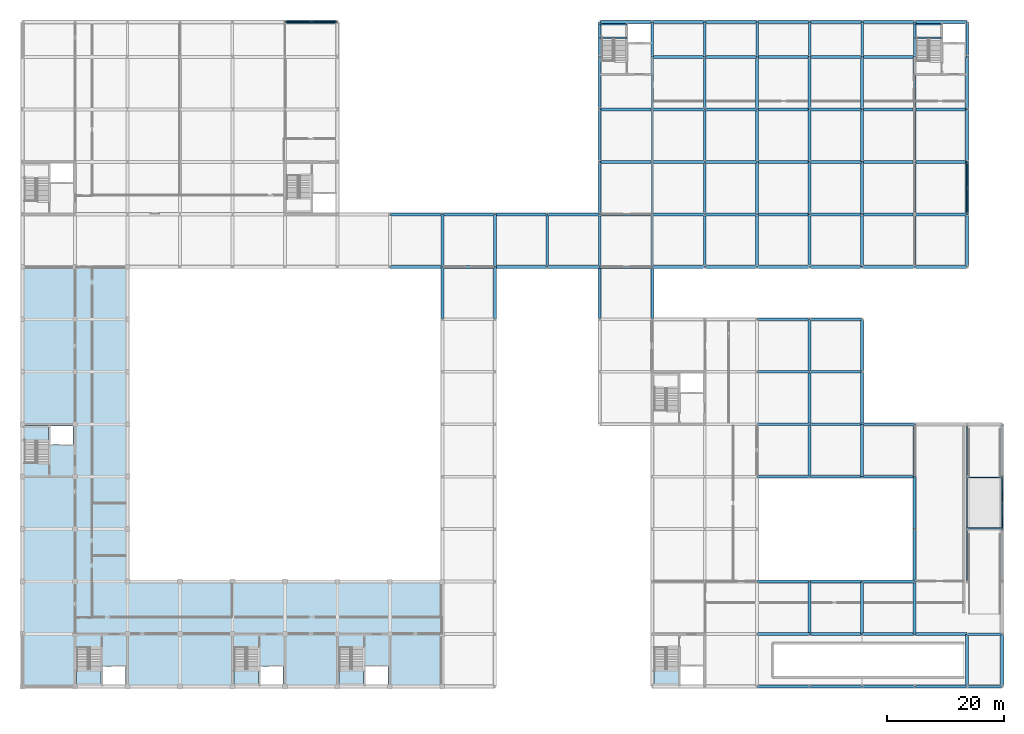
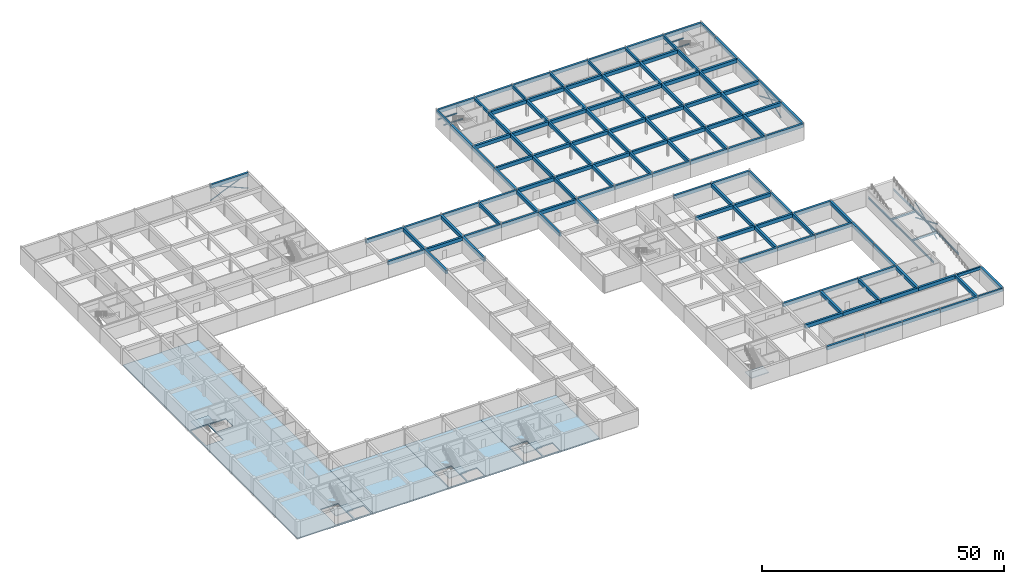
# One storey, part 16 of 35: 141 beams, 12 members, 9 slabs.
"""IFC4 building model written with IfcOpenShell, lengths in metres."""

import ifcopenshell
import ifcopenshell.guid

model = None  # the IFC model being written
_history = None  # IfcOwnerHistory: only IFC2X3 demands one
_inside = {}  # id of a spatial element -> (the spatial element, [elements in it])
_under = {}  # id of a project, library or spatial element -> (it, [spatial elements below it])
_declared = {}  # id of a project -> (the project, [libraries it declares])
_typed = {}  # id of a type object -> (the type object, [elements of that type])
_made_of = {}  # id of a material, layer set ... -> (it, [elements and type objects made of it])


def new_model(schema):
    """Start an empty IFC model of exactly this schema.

    Asked for "IFC4X3", IfcOpenShell would pick the latest addendum, in which some entities
    have other attributes; the version numbers below select the first issue.
    IFC2X3 requires an IfcOwnerHistory on every rooted entity: one is made here for all.
    """
    global model, _history
    if schema == "IFC4X3":
        model = ifcopenshell.file(schema_version=(4, 3, 0, 0))
    else:
        model = ifcopenshell.file(schema=schema)
    _inside.clear()
    _under.clear()
    _declared.clear()
    _typed.clear()
    _made_of.clear()
    _history = None
    if model.schema == "IFC2X3":
        org = make("IfcOrganization", Name="unknown")
        user = make(
            "IfcPersonAndOrganization",
            ThePerson=make("IfcPerson", FamilyName="unknown"),
            TheOrganization=org,
        )
        app = make(
            "IfcApplication",
            ApplicationDeveloper=org,
            Version="unknown",
            ApplicationFullName="unknown",
            ApplicationIdentifier="unknown",
        )
        _history = make(
            "IfcOwnerHistory",
            OwningUser=user,
            OwningApplication=app,
            ChangeAction="ADDED",
            CreationDate=0,
        )
    return model


def make(cls, **values):
    """One entity of the class cls with the attributes given. An attribute that is None is left unset."""
    return model.create_entity(
        cls, **{name: value for name, value in values.items() if value is not None}
    )


def rooted(cls, **values):
    """An entity with a GlobalId (a new one), such as an element, a storey or a relation."""
    return make(cls, GlobalId=ifcopenshell.guid.new(), OwnerHistory=_history, **values)


def si_unit(unit_type, name, prefix=None):
    """IfcSIUnit, for example si_unit("LENGTHUNIT", "METRE", prefix="MILLI")."""
    return make("IfcSIUnit", UnitType=unit_type, Prefix=prefix, Name=name)


def assignment(units):
    """IfcUnitAssignment: the units of a project."""
    return None if units is None else make("IfcUnitAssignment", Units=units)


def point(xyz):
    """IfcCartesianPoint."""
    return None if xyz is None else make("IfcCartesianPoint", Coordinates=xyz)


def direction(xyz):
    """IfcDirection."""
    return None if xyz is None else make("IfcDirection", DirectionRatios=xyz)


def frame(location, z_axis=None, x_axis=None):
    """IfcAxis2Placement3D, a coordinate frame: its origin and axes. An axis left out is left unset."""
    return make(
        "IfcAxis2Placement3D",
        Location=point(location),
        Axis=direction(z_axis),
        RefDirection=direction(x_axis),
    )


def frame_2d(location, x_axis=None):
    """IfcAxis2Placement2D, a coordinate frame in the plane: its origin and x axis."""
    return make(
        "IfcAxis2Placement2D", Location=point(location), RefDirection=direction(x_axis)
    )


def origin():
    """The frame at (0, 0, 0) with its axes left unset."""
    return frame((0.0, 0.0, 0.0))


def origin_2d():
    """The frame at (0, 0) in the plane with its x axis left unset."""
    return frame_2d((0.0, 0.0))


def place(relative_to, where):
    """IfcLocalPlacement: puts the frame where relative to a parent placement (None: the world)."""
    return make(
        "IfcLocalPlacement", PlacementRelTo=relative_to, RelativePlacement=where
    )


def context(
    kind, dimensions, precision=None, world=None, true_north=None, identifier=None
):
    """IfcGeometricRepresentationContext, for example the 3D "Model" context."""
    return make(
        "IfcGeometricRepresentationContext",
        ContextIdentifier=identifier,
        ContextType=kind,
        CoordinateSpaceDimension=dimensions,
        Precision=precision,
        WorldCoordinateSystem=world,
        TrueNorth=true_north,
    )


def subcontext(parent, identifier, kind, view, scale=None):
    """IfcGeometricRepresentationSubContext, for example "Body" below "Model"."""
    return make(
        "IfcGeometricRepresentationSubContext",
        ContextIdentifier=identifier,
        ContextType=kind,
        ParentContext=parent,
        TargetScale=scale,
        TargetView=view,
    )


def project(units=None, contexts=None):
    """IfcProject with its units and contexts."""
    return rooted(
        "IfcProject",
        Name="project",
        RepresentationContexts=contexts,
        UnitsInContext=assignment(units),
    )


def spatial(cls, under=None, at=None, **own):
    """A site, building, storey or space (cls), placed at a placement, below another one or the project."""
    s = rooted(cls, ObjectPlacement=at, **own)
    if under is not None:
        _under.setdefault(under.id(), (under, []))[1].append(s)
    return s


def polyline(points):
    """IfcPolyline through the points."""
    return make("IfcPolyline", Points=[point(p) for p in points])


def profile(cls, at=None, kind="AREA", **sizes):
    """A parametric profile (cls). Its sizes go by their IFC names, for example OverallWidth=200.0."""
    return make(cls, ProfileType=kind, Position=at, **sizes)


def rectangle(**sizes):
    """IfcRectangleProfileDef."""
    return profile("IfcRectangleProfileDef", **sizes)


def hollow_rectangle(**sizes):
    """IfcRectangleHollowProfileDef."""
    return profile("IfcRectangleHollowProfileDef", **sizes)


def hollow_circle(**sizes):
    """IfcCircleHollowProfileDef."""
    return profile("IfcCircleHollowProfileDef", **sizes)


def i_section(**sizes):
    """IfcIShapeProfileDef."""
    return profile("IfcIShapeProfileDef", **sizes)


def outline(outer, holes=None, kind="AREA"):
    """IfcArbitraryClosedProfileDef: a profile drawn as a closed curve; with holes, ...WithVoids."""
    if holes is None:
        return make("IfcArbitraryClosedProfileDef", ProfileType=kind, OuterCurve=outer)
    return make(
        "IfcArbitraryProfileDefWithVoids",
        ProfileType=kind,
        OuterCurve=outer,
        InnerCurves=holes,
    )


def extrude(swept, where, along, depth):
    """IfcExtrudedAreaSolid: the profile swept, set in the frame where, extruded along a direction by depth."""
    return make(
        "IfcExtrudedAreaSolid",
        SweptArea=swept,
        Position=where,
        ExtrudedDirection=direction(along),
        Depth=depth,
    )


def shape(context_of_items, identifier, shape_type, items):
    """IfcShapeRepresentation: the items that make up one representation, for example the "Body"."""
    return make(
        "IfcShapeRepresentation",
        ContextOfItems=context_of_items,
        RepresentationIdentifier=identifier,
        RepresentationType=shape_type,
        Items=items,
    )


def material(Name=None, Category=None):
    """IfcMaterial."""
    return make("IfcMaterial", Name=Name, Category=Category)


def layer(
    of_material, thickness, ventilated=None, Name=None, Category=None, Priority=None
):
    """IfcMaterialLayer: one layer of a wall or slab, of a material (None: an air gap)."""
    return make(
        "IfcMaterialLayer",
        Material=of_material,
        LayerThickness=thickness,
        IsVentilated=ventilated,
        Name=Name,
        Category=Category,
        Priority=Priority,
    )


def layer_set(layers, Name=None):
    """IfcMaterialLayerSet."""
    return make("IfcMaterialLayerSet", MaterialLayers=layers, LayerSetName=Name)


def material_profile(
    of_material, cross_section, Name=None, Category=None, Priority=None
):
    """IfcMaterialProfile: a cross section and its material."""
    return make(
        "IfcMaterialProfile",
        Name=Name,
        Material=of_material,
        Profile=cross_section,
        Priority=Priority,
        Category=Category,
    )


def profile_set(profiles, Name=None, composite=None):
    """IfcMaterialProfileSet."""
    return make(
        "IfcMaterialProfileSet",
        Name=Name,
        MaterialProfiles=profiles,
        CompositeProfile=composite,
    )


def made_of(thing, what):
    """Note that an element or type object is made of a material, layer set ...; save() writes the relation."""
    if what is not None:
        _made_of.setdefault(what.id(), (what, []))[1].append(thing)
    return thing


def type_object(cls, material=None, **own):
    """A type object (cls), such as IfcWallType, which elements share."""
    return made_of(rooted(cls, **own), material)


def element(
    cls,
    number,
    at=None,
    inside=None,
    cuts=None,
    type_object=None,
    material=None,
    context=None,
    identifier="Body",
    shape_type=None,
    held_by="IfcProductDefinitionShape",
    body=None,
    shapes=None,
    **own,
):
    """One element of the class cls, such as IfcWall. Its Tag is "e" and its number.

    at: its placement. inside: the storey or other place that contains it. cuts: it is an
    opening in that element (IfcRelVoidsElement). A single representation is given by context,
    identifier, shape_type and body (its items); several are given by shapes. held_by: the class
    of the entity that holds the representations. save() writes the other relations.
    """
    e = rooted(cls, Tag="e%d" % number, ObjectPlacement=at, **own)
    if body is not None:
        shapes = [shape(context, identifier, shape_type, body)]
    if shapes is not None:
        e.Representation = make(held_by, Representations=shapes)
    if inside is not None:
        _inside.setdefault(inside.id(), (inside, []))[1].append(e)
    if cuts is not None:
        rooted(
            "IfcRelVoidsElement", RelatingBuildingElement=cuts, RelatedOpeningElement=e
        )
    if type_object is not None:
        _typed.setdefault(type_object.id(), (type_object, []))[1].append(e)
    return made_of(e, material)


def aggregate(whole, parts):
    """IfcRelAggregates: a whole, such as a stair, and the parts it consists of."""
    return rooted("IfcRelAggregates", RelatingObject=whole, RelatedObjects=parts)


def save(model, path):
    """Write the relations noted so far, then the file.

    IfcRelAggregates (storeys below a building ...), IfcRelContainedInSpatialStructure (elements
    in a storey), IfcRelDefinesByType, IfcRelAssociatesMaterial and IfcRelDeclares: one each for
    every whole, place, type object, material and project.
    """
    for whole, parts in _under.values():
        aggregate(whole, parts)
    for where, things in _inside.values():
        rooted(
            "IfcRelContainedInSpatialStructure",
            RelatedElements=things,
            RelatingStructure=where,
        )
    for kind, things in _typed.values():
        rooted("IfcRelDefinesByType", RelatedObjects=things, RelatingType=kind)
    for what, things in _made_of.values():
        rooted("IfcRelAssociatesMaterial", RelatedObjects=things, RelatingMaterial=what)
    for by, libraries in _declared.values():
        rooted("IfcRelDeclares", RelatingContext=by, RelatedDefinitions=libraries)
    model.write(path)


model = new_model("IFC4")

# Units and contexts
model_context = context("Model", 3, precision=1e-05, world=origin(), true_north=direction((0.0, 1.0)))
body_context = subcontext(model_context, "Body", "Model", "MODEL_VIEW")
ifc_project = project(units=[si_unit("LENGTHUNIT", "METRE"), si_unit("AREAUNIT", "SQUARE_METRE"), si_unit("VOLUMEUNIT", "CUBIC_METRE"), si_unit("PLANEANGLEUNIT", "RADIAN"), si_unit("MASSUNIT", "GRAM", prefix="KILO")], contexts=[model_context])

# Site, building, storey
site_placement = place(None, origin())
site = spatial("IfcSite", under=ifc_project, at=site_placement, CompositionType="ELEMENT")
building_placement = place(site_placement, origin())
building = spatial("IfcBuilding", under=site, at=building_placement, Name="Palais des Congres Ocreval", CompositionType="ELEMENT")
storey_placement = place(building_placement, frame((0.0, 0.0, -4.47998046875)))
storey = spatial("IfcBuildingStorey", under=building, at=storey_placement, Name="B1", CompositionType="ELEMENT", Elevation=-4.47998046875)

# Beams
ifc_material_1 = material(Name="Concrete C35/45", Category="concrete")
ifc_material_profile_1 = material_profile(ifc_material_1, rectangle(XDim=0.39990234375, YDim=0.699951171875, at=origin_2d()), Name="RC 400x700")
ifc_profile_set_1 = profile_set([ifc_material_profile_1], Name="Concrete C35/45")
beam_type_1 = type_object("IfcBeamType", Name="Basement Beam RC 400x700 Concrete C35/45", PredefinedType="BEAM", material=ifc_profile_set_1)
for number, where, z_axis, x_axis, name in (
    (1, (99.0, 108.02001953125, 3.7900390625), (0.0, 1.0, 0.0), (-1.0, 0.0, 0.0), "Girder TG03 B1"),
    (2, (108.0, 108.02001953125, 3.7900390625), (0.0, 1.0, 0.0), (-1.0, 0.0, 0.0), "Girder TG03 B1"),
    (3, (117.0, 108.02001953125, 3.7900390625), (0.0, 1.0, 0.0), (-1.0, 0.0, 0.0), "Girder TG03 B1"),
    (4, (126.0, 108.02001953125, 3.7900390625), (0.0, 1.0, 0.0), (-1.0, 0.0, 0.0), "Girder TG03 B1"),
    (5, (135.0, 108.02001953125, 3.7900390625), (0.0, 1.0, 0.0), (-1.0, 0.0, 0.0), "Girder TG03 B1"),
    (6, (144.0, 108.02001953125, 3.7900390625), (0.0, 1.0, 0.0), (-1.0, 0.0, 0.0), "Girder TG03 B1"),
    (7, (153.0, 108.02001953125, 3.7900390625), (0.0, 1.0, 0.0), (-1.0, 0.0, 0.0), "Girder TG03 B1"),
    (8, (162.02001953125, 0.0, 3.869873046875), (1.0, 0.0, 0.0), (0.0, 1.0, 0.0), "Beam TG03 B1"),
    (9, (162.02001953125, 9.0, 3.869873046875), (1.0, 0.0, 0.0), (0.0, 1.0, 0.0), "Beam TG03 B1"),
    (10, (162.0, 108.02001953125, 3.7900390625), (0.0, 1.0, 0.0), (-1.0, 0.0, 0.0), "Girder TG03 B1"),
):
    element("IfcBeam", number, at=place(storey_placement, frame(where, z_axis=z_axis, x_axis=x_axis)), inside=storey, type_object=beam_type_1, Name=name, PredefinedType="BEAM", context=body_context, shape_type="SweptSolid", body=[
        extrude(rectangle(XDim=0.39990234375, YDim=0.699951171875, at=origin_2d()), origin(), (0.0, 0.0, 1.0), 5.9599609375),
    ])
ifc_material_profile_2 = material_profile(ifc_material_1, rectangle(XDim=0.5, YDim=0.89990234375, at=origin_2d()), Name="RC 500x900")
ifc_profile_set_2 = profile_set([ifc_material_profile_2], Name="Concrete C35/45")
beam_type_2 = type_object("IfcBeamType", Name="Basement Girder RC 500x900 Concrete C35/45", PredefinedType="BEAM", material=ifc_profile_set_2)
for number, where, z_axis, x_axis, name in (
    (11, (45.02001953125, 114.0, 3.72998046875), (1.0, 0.0, 0.0), (0.0, 1.0, 0.0), "Beam TG04 B1"),
    (12, (63.02001953125, 72.0, 3.580078125), (1.0, 0.0, 0.0), (0.0, 1.0, 0.0), "Beam TG04 B1"),
    (13, (63.02001953125, 81.0, 3.580078125), (1.0, 0.0, 0.0), (0.0, 1.0, 0.0), "Beam TG04 B1"),
    (14, (72.0, 63.02001953125, 3.580078125), (0.0, 1.0, 0.0), (-1.0, 0.0, 0.0), "Girder TG04 B1"),
    (15, (72.02001953125, 72.0, 3.580078125), (1.0, 0.0, 0.0), (0.0, 1.0, 0.0), "Beam TG04 B1"),
    (16, (72.0, 72.02001953125, 3.580078125), (0.0, 1.0, 0.0), (-1.0, 0.0, 0.0), "Girder TG04 B1"),
    (17, (72.02001953125, 81.0, 3.580078125), (1.0, 0.0, 0.0), (0.0, 1.0, 0.0), "Beam TG04 B1"),
    (18, (81.0, 63.02001953125, 3.580078125), (0.0, 1.0, 0.0), (-1.0, 0.0, 0.0), "Girder TG04 B1"),
    (19, (81.02001953125, 72.0, 3.580078125), (1.0, 0.0, 0.0), (0.0, 1.0, 0.0), "Beam TG04 B1"),
    (20, (81.0, 72.02001953125, 3.580078125), (0.0, 1.0, 0.0), (-1.0, 0.0, 0.0), "Girder TG04 B1"),
    (21, (81.02001953125, 81.0, 3.580078125), (1.0, 0.0, 0.0), (0.0, 1.0, 0.0), "Beam TG04 B1"),
    (22, (90.02001953125, 72.0, 3.580078125), (1.0, 0.0, 0.0), (0.0, 1.0, 0.0), "Beam TG04 B1"),
    (23, (90.0, 72.02001953125, 3.580078125), (0.0, 1.0, 0.0), (-1.0, 0.0, 0.0), "Girder TG04 B1"),
    (24, (90.02001953125, 81.0, 3.580078125), (1.0, 0.0, 0.0), (0.0, 1.0, 0.0), "Beam TG04 B1"),
    (25, (99.0, 63.02001953125, 3.580078125), (0.0, 1.0, 0.0), (-1.0, 0.0, 0.0), "Girder TG04 B1"),
    (26, (99.02001953125, 72.0, 3.580078125), (1.0, 0.0, 0.0), (0.0, 1.0, 0.0), "Beam TG04 B1"),
    (27, (99.0, 72.02001953125, 3.580078125), (0.0, 1.0, 0.0), (-1.0, 0.0, 0.0), "Girder TG04 B1"),
    (28, (99.02001953125, 81.0, 3.68994140625), (1.0, 0.0, 0.0), (0.0, 1.0, 0.0), "Beam TG04 B1"),
    (29, (99.0, 81.02001953125, 3.68994140625), (0.0, 1.0, 0.0), (-1.0, 0.0, 0.0), "Girder TG04 B1"),
    (30, (99.02001953125, 90.0, 3.68994140625), (1.0, 0.0, 0.0), (0.0, 1.0, 0.0), "Beam TG04 B1"),
    (31, (99.0, 90.02001953125, 3.68994140625), (0.0, 1.0, 0.0), (-1.0, 0.0, 0.0), "Girder TG04 B1"),
    (32, (99.02001953125, 99.0, 3.68994140625), (1.0, 0.0, 0.0), (0.0, 1.0, 0.0), "Beam TG04 B1"),
    (33, (99.0, 99.02001953125, 3.68994140625), (0.0, 1.0, 0.0), (-1.0, 0.0, 0.0), "Girder TG04 B1"),
    (34, (99.02001953125, 114.0, 3.68994140625), (1.0, 0.0, 0.0), (0.0, 1.0, 0.0), "Beam TG04 B1"),
    (35, (108.0, 63.02001953125, 3.580078125), (0.0, 1.0, 0.0), (-1.0, 0.0, 0.0), "Girder TG04 B1"),
    (36, (108.02001953125, 72.0, 3.68994140625), (1.0, 0.0, 0.0), (0.0, 1.0, 0.0), "Beam TG04 B1"),
    (37, (108.0, 72.02001953125, 3.68994140625), (0.0, 1.0, 0.0), (-1.0, 0.0, 0.0), "Girder TG04 B1"),
    (38, (108.02001953125, 81.0, 3.68994140625), (1.0, 0.0, 0.0), (0.0, 1.0, 0.0), "Beam TG04 B1"),
    (39, (108.0, 81.02001953125, 3.68994140625), (0.0, 1.0, 0.0), (-1.0, 0.0, 0.0), "Girder TG04 B1"),
    (40, (108.02001953125, 90.0, 3.68994140625), (1.0, 0.0, 0.0), (0.0, 1.0, 0.0), "Beam TG04 B1"),
    (41, (108.0, 90.02001953125, 3.68994140625), (0.0, 1.0, 0.0), (-1.0, 0.0, 0.0), "Girder TG04 B1"),
    (42, (108.02001953125, 99.0, 3.68994140625), (1.0, 0.0, 0.0), (0.0, 1.0, 0.0), "Beam TG04 B1"),
    (43, (108.0, 99.02001953125, 3.68994140625), (0.0, 1.0, 0.0), (-1.0, 0.0, 0.0), "Girder TG04 B1"),
    (44, (108.02001953125, 108.0, 3.68994140625), (1.0, 0.0, 0.0), (0.0, 1.0, 0.0), "Beam TG04 B1"),
    (45, (108.02001953125, 114.0, 3.68994140625), (1.0, 0.0, 0.0), (0.0, 1.0, 0.0), "Beam TG04 B1"),
    (46, (117.02001953125, 72.0, 3.68994140625), (1.0, 0.0, 0.0), (0.0, 1.0, 0.0), "Beam TG04 B1"),
    (47, (117.0, 72.02001953125, 3.68994140625), (0.0, 1.0, 0.0), (-1.0, 0.0, 0.0), "Girder TG04 B1"),
    (48, (117.02001953125, 81.0, 3.68994140625), (1.0, 0.0, 0.0), (0.0, 1.0, 0.0), "Beam TG04 B1"),
    (49, (117.0, 81.02001953125, 3.68994140625), (0.0, 1.0, 0.0), (-1.0, 0.0, 0.0), "Girder TG04 B1"),
    (50, (117.02001953125, 90.0, 3.68994140625), (1.0, 0.0, 0.0), (0.0, 1.0, 0.0), "Beam TG04 B1"),
    (51, (117.0, 90.02001953125, 3.68994140625), (0.0, 1.0, 0.0), (-1.0, 0.0, 0.0), "Girder TG04 B1"),
    (52, (117.02001953125, 99.0, 3.68994140625), (1.0, 0.0, 0.0), (0.0, 1.0, 0.0), "Beam TG04 B1"),
    (53, (117.0, 99.02001953125, 3.68994140625), (0.0, 1.0, 0.0), (-1.0, 0.0, 0.0), "Girder TG04 B1"),
    (54, (117.02001953125, 108.0, 3.68994140625), (1.0, 0.0, 0.0), (0.0, 1.0, 0.0), "Beam TG04 B1"),
    (55, (117.02001953125, 114.0, 3.68994140625), (1.0, 0.0, 0.0), (0.0, 1.0, 0.0), "Beam TG04 B1"),
    (56, (126.02001953125, 0.0, 3.77001953125), (1.0, 0.0, 0.0), (0.0, 1.0, 0.0), "Beam TG04 B1"),
    (57, (126.02001953125, 9.0, 3.77001953125), (1.0, 0.0, 0.0), (0.0, 1.0, 0.0), "Beam TG04 B1"),
    (58, (126.02001953125, 18.0, 3.77001953125), (1.0, 0.0, 0.0), (0.0, 1.0, 0.0), "Beam TG04 B1"),
    (59, (126.02001953125, 36.0, 3.77001953125), (1.0, 0.0, 0.0), (0.0, 1.0, 0.0), "Beam TG04 B1"),
    (60, (126.02001953125, 45.0, 3.77001953125), (1.0, 0.0, 0.0), (0.0, 1.0, 0.0), "Beam TG04 B1"),
    (61, (126.02001953125, 54.0, 3.580078125), (1.0, 0.0, 0.0), (0.0, 1.0, 0.0), "Beam TG04 B1"),
    (62, (126.02001953125, 63.0, 3.580078125), (1.0, 0.0, 0.0), (0.0, 1.0, 0.0), "Beam TG04 B1"),
    (63, (126.02001953125, 72.0, 3.68994140625), (1.0, 0.0, 0.0), (0.0, 1.0, 0.0), "Beam TG04 B1"),
    (64, (126.0, 72.02001953125, 3.68994140625), (0.0, 1.0, 0.0), (-1.0, 0.0, 0.0), "Girder TG04 B1"),
    (65, (126.02001953125, 81.0, 3.68994140625), (1.0, 0.0, 0.0), (0.0, 1.0, 0.0), "Beam TG04 B1"),
    (66, (126.0, 81.02001953125, 3.68994140625), (0.0, 1.0, 0.0), (-1.0, 0.0, 0.0), "Girder TG04 B1"),
    (67, (126.02001953125, 90.0, 3.68994140625), (1.0, 0.0, 0.0), (0.0, 1.0, 0.0), "Beam TG04 B1"),
    (68, (126.0, 90.02001953125, 3.68994140625), (0.0, 1.0, 0.0), (-1.0, 0.0, 0.0), "Girder TG04 B1"),
    (69, (126.02001953125, 99.0, 3.68994140625), (1.0, 0.0, 0.0), (0.0, 1.0, 0.0), "Beam TG04 B1"),
    (70, (126.0, 99.02001953125, 3.68994140625), (0.0, 1.0, 0.0), (-1.0, 0.0, 0.0), "Girder TG04 B1"),
    (71, (126.02001953125, 108.0, 3.68994140625), (1.0, 0.0, 0.0), (0.0, 1.0, 0.0), "Beam TG04 B1"),
    (72, (126.02001953125, 114.0, 3.68994140625), (1.0, 0.0, 0.0), (0.0, 1.0, 0.0), "Beam TG04 B1"),
    (73, (135.02001953125, 0.0, 3.77001953125), (1.0, 0.0, 0.0), (0.0, 1.0, 0.0), "Beam TG04 B1"),
    (74, (135.02001953125, 9.0, 3.77001953125), (1.0, 0.0, 0.0), (0.0, 1.0, 0.0), "Beam TG04 B1"),
    (75, (135.0, 9.02001953125, 3.77001953125), (0.0, 1.0, 0.0), (-1.0, 0.0, 0.0), "Girder TG04 B1"),
    (76, (135.02001953125, 18.0, 3.77001953125), (1.0, 0.0, 0.0), (0.0, 1.0, 0.0), "Beam TG04 B1"),
    (77, (135.02001953125, 36.0, 3.77001953125), (1.0, 0.0, 0.0), (0.0, 1.0, 0.0), "Beam TG04 B1"),
    (78, (135.0, 36.02001953125, 3.77001953125), (0.0, 1.0, 0.0), (-1.0, 0.0, 0.0), "Girder TG04 B1"),
    (79, (135.02001953125, 45.0, 3.77001953125), (1.0, 0.0, 0.0), (0.0, 1.0, 0.0), "Beam TG04 B1"),
    (80, (135.0, 45.02001953125, 3.580078125), (0.0, 1.0, 0.0), (-1.0, 0.0, 0.0), "Girder TG04 B1"),
    (81, (135.02001953125, 54.0, 3.580078125), (1.0, 0.0, 0.0), (0.0, 1.0, 0.0), "Beam TG04 B1"),
    (82, (135.0, 54.02001953125, 3.580078125), (0.0, 1.0, 0.0), (-1.0, 0.0, 0.0), "Girder TG04 B1"),
    (83, (135.02001953125, 63.0, 3.580078125), (1.0, 0.0, 0.0), (0.0, 1.0, 0.0), "Beam TG04 B1"),
    (84, (135.02001953125, 72.0, 3.68994140625), (1.0, 0.0, 0.0), (0.0, 1.0, 0.0), "Beam TG04 B1"),
    (85, (135.0, 72.02001953125, 3.68994140625), (0.0, 1.0, 0.0), (-1.0, 0.0, 0.0), "Girder TG04 B1"),
    (86, (135.02001953125, 81.0, 3.68994140625), (1.0, 0.0, 0.0), (0.0, 1.0, 0.0), "Beam TG04 B1"),
    (87, (135.0, 81.02001953125, 3.68994140625), (0.0, 1.0, 0.0), (-1.0, 0.0, 0.0), "Girder TG04 B1"),
    (88, (135.02001953125, 90.0, 3.68994140625), (1.0, 0.0, 0.0), (0.0, 1.0, 0.0), "Beam TG04 B1"),
    (89, (135.0, 90.02001953125, 3.68994140625), (0.0, 1.0, 0.0), (-1.0, 0.0, 0.0), "Girder TG04 B1"),
    (90, (135.02001953125, 99.0, 3.68994140625), (1.0, 0.0, 0.0), (0.0, 1.0, 0.0), "Beam TG04 B1"),
    (91, (135.0, 99.02001953125, 3.68994140625), (0.0, 1.0, 0.0), (-1.0, 0.0, 0.0), "Girder TG04 B1"),
    (92, (135.02001953125, 108.0, 3.68994140625), (1.0, 0.0, 0.0), (0.0, 1.0, 0.0), "Beam TG04 B1"),
    (93, (135.02001953125, 114.0, 3.68994140625), (1.0, 0.0, 0.0), (0.0, 1.0, 0.0), "Beam TG04 B1"),
    (94, (144.02001953125, 0.0, 3.77001953125), (1.0, 0.0, 0.0), (0.0, 1.0, 0.0), "Beam TG04 B1"),
    (95, (144.02001953125, 9.0, 3.77001953125), (1.0, 0.0, 0.0), (0.0, 1.0, 0.0), "Beam TG04 B1"),
    (96, (144.0, 9.02001953125, 3.77001953125), (0.0, 1.0, 0.0), (-1.0, 0.0, 0.0), "Girder TG04 B1"),
    (97, (144.02001953125, 18.0, 3.77001953125), (1.0, 0.0, 0.0), (0.0, 1.0, 0.0), "Beam TG04 B1"),
    (98, (144.02001953125, 36.0, 3.77001953125), (1.0, 0.0, 0.0), (0.0, 1.0, 0.0), "Beam TG04 B1"),
    (99, (144.0, 36.02001953125, 3.77001953125), (0.0, 1.0, 0.0), (-1.0, 0.0, 0.0), "Girder TG04 B1"),
    (100, (144.02001953125, 45.0, 3.77001953125), (1.0, 0.0, 0.0), (0.0, 1.0, 0.0), "Beam TG04 B1"),
    (101, (144.0, 45.02001953125, 3.580078125), (0.0, 1.0, 0.0), (-1.0, 0.0, 0.0), "Girder TG04 B1"),
    (102, (144.0, 54.02001953125, 3.580078125), (0.0, 1.0, 0.0), (-1.0, 0.0, 0.0), "Girder TG04 B1"),
    (103, (144.02001953125, 72.0, 3.68994140625), (1.0, 0.0, 0.0), (0.0, 1.0, 0.0), "Beam TG04 B1"),
    (104, (144.0, 72.02001953125, 3.68994140625), (0.0, 1.0, 0.0), (-1.0, 0.0, 0.0), "Girder TG04 B1"),
    (105, (144.02001953125, 81.0, 3.68994140625), (1.0, 0.0, 0.0), (0.0, 1.0, 0.0), "Beam TG04 B1"),
    (106, (144.0, 81.02001953125, 3.68994140625), (0.0, 1.0, 0.0), (-1.0, 0.0, 0.0), "Girder TG04 B1"),
    (107, (144.02001953125, 90.0, 3.68994140625), (1.0, 0.0, 0.0), (0.0, 1.0, 0.0), "Beam TG04 B1"),
    (108, (144.0, 90.02001953125, 3.68994140625), (0.0, 1.0, 0.0), (-1.0, 0.0, 0.0), "Girder TG04 B1"),
    (109, (144.02001953125, 99.0, 3.68994140625), (1.0, 0.0, 0.0), (0.0, 1.0, 0.0), "Beam TG04 B1"),
    (110, (144.0, 99.02001953125, 3.68994140625), (0.0, 1.0, 0.0), (-1.0, 0.0, 0.0), "Girder TG04 B1"),
    (111, (144.02001953125, 108.0, 3.68994140625), (1.0, 0.0, 0.0), (0.0, 1.0, 0.0), "Beam TG04 B1"),
    (112, (144.02001953125, 114.0, 3.68994140625), (1.0, 0.0, 0.0), (0.0, 1.0, 0.0), "Beam TG04 B1"),
    (113, (153.02001953125, 0.0, 3.77001953125), (1.0, 0.0, 0.0), (0.0, 1.0, 0.0), "Beam TG04 B1"),
    (114, (153.02001953125, 9.0, 3.77001953125), (1.0, 0.0, 0.0), (0.0, 1.0, 0.0), "Beam TG04 B1"),
    (115, (153.0, 9.02001953125, 3.77001953125), (0.0, 1.0, 0.0), (-1.0, 0.0, 0.0), "Girder TG04 B1"),
    (116, (153.0, 18.02001953125, 3.77001953125), (0.0, 1.0, 0.0), (-1.0, 0.0, 0.0), "Girder TG04 B1"),
    (117, (153.0, 27.02001953125, 3.77001953125), (0.0, 1.0, 0.0), (-1.0, 0.0, 0.0), "Girder TG04 B1"),
    (118, (153.0, 36.02001953125, 3.77001953125), (0.0, 1.0, 0.0), (-1.0, 0.0, 0.0), "Girder TG04 B1"),
    (119, (153.02001953125, 72.0, 3.68994140625), (1.0, 0.0, 0.0), (0.0, 1.0, 0.0), "Beam TG04 B1"),
    (120, (153.0, 72.02001953125, 3.68994140625), (0.0, 1.0, 0.0), (-1.0, 0.0, 0.0), "Girder TG04 B1"),
    (121, (153.02001953125, 81.0, 3.68994140625), (1.0, 0.0, 0.0), (0.0, 1.0, 0.0), "Beam TG04 B1"),
    (122, (153.0, 81.02001953125, 3.68994140625), (0.0, 1.0, 0.0), (-1.0, 0.0, 0.0), "Girder TG04 B1"),
    (123, (153.02001953125, 90.0, 3.68994140625), (1.0, 0.0, 0.0), (0.0, 1.0, 0.0), "Beam TG04 B1"),
    (124, (153.0, 90.02001953125, 3.68994140625), (0.0, 1.0, 0.0), (-1.0, 0.0, 0.0), "Girder TG04 B1"),
    (125, (153.02001953125, 99.0, 3.68994140625), (1.0, 0.0, 0.0), (0.0, 1.0, 0.0), "Beam TG04 B1"),
    (126, (153.0, 99.02001953125, 3.68994140625), (0.0, 1.0, 0.0), (-1.0, 0.0, 0.0), "Girder TG04 B1"),
    (127, (153.02001953125, 114.0, 3.68994140625), (1.0, 0.0, 0.0), (0.0, 1.0, 0.0), "Beam TG04 B1"),
    (128, (162.0, 0.02001953125, 3.77001953125), (0.0, 1.0, 0.0), (-1.0, 0.0, 0.0), "Girder TG04 B1"),
    (129, (162.0, 72.02001953125, 3.68994140625), (0.0, 1.0, 0.0), (-1.0, 0.0, 0.0), "Girder TG04 B1"),
    (130, (162.0, 81.02001953125, 3.68994140625), (0.0, 1.0, 0.0), (-1.0, 0.0, 0.0), "Girder TG04 B1"),
    (131, (162.0, 90.02001953125, 3.68994140625), (0.0, 1.0, 0.0), (-1.0, 0.0, 0.0), "Girder TG04 B1"),
    (132, (162.0, 99.02001953125, 3.68994140625), (0.0, 1.0, 0.0), (-1.0, 0.0, 0.0), "Girder TG04 B1"),
    (133, (168.0, 0.02001953125, 3.77001953125), (0.0, 1.0, 0.0), (-1.0, 0.0, 0.0), "Girder TG04 B1"),
):
    element("IfcBeam", number, at=place(storey_placement, frame(where, z_axis=z_axis, x_axis=x_axis)), inside=storey, type_object=beam_type_2, Name=name, PredefinedType="BEAM", context=body_context, shape_type="SweptSolid", body=[
        extrude(rectangle(XDim=0.5, YDim=0.89990234375, at=origin_2d()), origin(), (0.0, 0.0, 1.0), 8.9599609375),
    ])
ifc_material_2 = material(Name="Steel S355", Category="steel")
ifc_material_profile_3 = material_profile(ifc_material_2, i_section(OverallWidth=0.199951171875, OverallDepth=0.5, WebThickness=0.01025390625, FlangeThickness=0.01611328125, at=origin_2d()), Name="IPE 500")
ifc_profile_set_3 = profile_set([ifc_material_profile_3], Name="Steel S355")
beam_type_3 = type_object("IfcBeamType", Name="Composite Beam IPE 500 Steel S355", PredefinedType="BEAM", material=ifc_profile_set_3)
for number, where, z_axis, x_axis, name in (
    (134, (162.0, 18.02001953125, 1.7900390625), (0.0, 1.0, 0.0), (-1.0, 0.0, 0.0), "Ramp Landing Support Girder RMP1-1"),
    (135, (168.0, 18.02001953125, 1.7900390625), (0.0, 1.0, 0.0), (-1.0, 0.0, 0.0), "Ramp Landing Support Girder RMP1-2"),
):
    element("IfcBeam", number, at=place(storey_placement, frame(where, z_axis=z_axis, x_axis=x_axis)), inside=storey, type_object=beam_type_3, Name=name, PredefinedType="BEAM", context=body_context, shape_type="SweptSolid", body=[
        extrude(i_section(OverallWidth=0.199951171875, OverallDepth=0.5, WebThickness=0.01025390625, FlangeThickness=0.01611328125, at=origin_2d()), origin(), (0.0, 0.0, 1.0), 26.9599609375),
    ])
for number, where, z_axis, x_axis, name in (
    (136, (162.02001953125, 27.14990234375, 1.7900390625), (1.0, 0.0, 0.0), (0.0, 1.0, 0.0), "Ramp Landing Support Girder RMP1-3"),
    (137, (162.02001953125, 35.85009765625, 1.7900390625), (1.0, 0.0, 0.0), (0.0, 1.0, 0.0), "Ramp Landing Support Girder RMP1-4"),
):
    element("IfcBeam", number, at=place(storey_placement, frame(where, z_axis=z_axis, x_axis=x_axis)), inside=storey, type_object=beam_type_3, Name=name, PredefinedType="BEAM", context=body_context, shape_type="SweptSolid", body=[
        extrude(i_section(OverallWidth=0.199951171875, OverallDepth=0.5, WebThickness=0.01025390625, FlangeThickness=0.01611328125, at=origin_2d()), origin(), (0.0, 0.0, 1.0), 5.9599609375),
    ])

# Members
ifc_material_profile_4 = material_profile(ifc_material_2, hollow_circle(Radius=0.06982421875, WallThickness=0.008056640625, at=origin_2d()), Name="CHS 139.7x8")
ifc_profile_set_4 = profile_set([ifc_material_profile_4], Name="Steel S355")
member_type_1 = type_object("IfcMemberType", Name="Diagonal Brace CHS 139.7x8 Steel S355", PredefinedType="BRACE", material=ifc_profile_set_4)
member_1_placement = place(storey_placement, frame((45.0400390625, 114.0, 3.929931640625), z_axis=(0.920745889835, 0.0, -0.39016279468), x_axis=(0.0, 1.0, 0.0)))
element("IfcMember", 138, at=member_1_placement, inside=storey, type_object=member_type_1, Name="Lateral Brace BR06 B1", PredefinedType="BRACE", context=body_context, shape_type="SweptSolid", body=[
    extrude(hollow_circle(Radius=0.06982421875, WallThickness=0.008056640625, at=origin_2d()), origin(), (0.0, 0.0, 1.0), 4.84375),
])
for number, where, z_axis, x_axis, name in (
    (139, (49.5, 114.0, 2.0400390625), (0.920727782703, 0.0, -0.390205522974), (0.0, 1.0, 0.0), "Lateral Brace BR06 B1"),
    (140, (168.0, 27.0400390625, 0.14990234375), (0.0, 0.920727782703, 0.390205522974), (-1.0, 0.0, 0.0), "Lateral Brace BR06 B1"),
):
    element("IfcMember", number, at=place(storey_placement, frame(where, z_axis=z_axis, x_axis=x_axis)), inside=storey, type_object=member_type_1, Name=name, PredefinedType="BRACE", context=body_context, shape_type="SweptSolid", body=[
        extrude(hollow_circle(Radius=0.06982421875, WallThickness=0.008056640625, at=origin_2d()), origin(), (0.0, 0.0, 1.0), 4.843994140625),
    ])
member_2_placement = place(storey_placement, frame((168.0, 31.5, 2.0400390625), z_axis=(0.0, 0.920745889835, 0.39016279468), x_axis=(-1.0, 0.0, 0.0)))
element("IfcMember", 141, at=member_2_placement, inside=storey, type_object=member_type_1, Name="Lateral Brace BR06 B1", PredefinedType="BRACE", context=body_context, shape_type="SweptSolid", body=[
    extrude(hollow_circle(Radius=0.06982421875, WallThickness=0.008056640625, at=origin_2d()), origin(), (0.0, 0.0, 1.0), 4.84375),
])
ifc_material_profile_5 = material_profile(ifc_material_2, hollow_circle(Radius=0.084228515625, WallThickness=0.010009765625, at=origin_2d()), Name="CHS 168.3x10")
ifc_profile_set_5 = profile_set([ifc_material_profile_5], Name="Steel S355")
member_type_2 = type_object("IfcMemberType", Name="Diagonal Brace CHS 168.3x10 Steel S355", PredefinedType="BRACE", material=ifc_profile_set_5)
member_3_placement = place(storey_placement, frame((45.0400390625, 114.0, 0.14990234375), z_axis=(0.920727782703, 0.0, 0.390205522974), x_axis=(0.0, 1.0, 0.0)))
element("IfcMember", 142, at=member_3_placement, inside=storey, type_object=member_type_2, Name="Lateral Brace BR05 B1", PredefinedType="BRACE", context=body_context, shape_type="SweptSolid", body=[
    extrude(hollow_circle(Radius=0.084228515625, WallThickness=0.010009765625, at=origin_2d()), origin(), (0.0, 0.0, 1.0), 4.843994140625),
])
member_4_placement = place(storey_placement, frame((49.5, 114.0, 2.0400390625), z_axis=(0.920745889835, 0.0, 0.39016279468), x_axis=(0.0, 1.0, 0.0)))
element("IfcMember", 143, at=member_4_placement, inside=storey, type_object=member_type_2, Name="Lateral Brace BR05 B1", PredefinedType="BRACE", context=body_context, shape_type="SweptSolid", body=[
    extrude(hollow_circle(Radius=0.084228515625, WallThickness=0.010009765625, at=origin_2d()), origin(), (0.0, 0.0, 1.0), 4.84375),
])
member_5_placement = place(storey_placement, frame((162.0, 81.0400390625, 0.14990234375), z_axis=(0.0, 0.920727782703, 0.390205522974), x_axis=(-1.0, 0.0, 0.0)))
element("IfcMember", 144, at=member_5_placement, inside=storey, type_object=member_type_2, Name="Lateral Brace BR05 B1", PredefinedType="BRACE", context=body_context, shape_type="SweptSolid", body=[
    extrude(hollow_circle(Radius=0.084228515625, WallThickness=0.010009765625, at=origin_2d()), origin(), (0.0, 0.0, 1.0), 4.843994140625),
])
member_6_placement = place(storey_placement, frame((162.0, 85.5, 2.0400390625), z_axis=(0.0, 0.920745889835, 0.39016279468), x_axis=(-1.0, 0.0, 0.0)))
element("IfcMember", 145, at=member_6_placement, inside=storey, type_object=member_type_2, Name="Lateral Brace BR05 B1", PredefinedType="BRACE", context=body_context, shape_type="SweptSolid", body=[
    extrude(hollow_circle(Radius=0.084228515625, WallThickness=0.010009765625, at=origin_2d()), origin(), (0.0, 0.0, 1.0), 4.84375),
])
ifc_material_profile_6 = material_profile(ifc_material_2, hollow_rectangle(XDim=0.159912109375, YDim=0.159912109375, WallThickness=0.010009765625, at=origin_2d()), Name="RHS 160x160x10")
ifc_profile_set_6 = profile_set([ifc_material_profile_6], Name="Steel S355")
member_type_3 = type_object("IfcMemberType", Name="Lateral Brace RHS 160x160x10 Steel S355", PredefinedType="BRACE", material=ifc_profile_set_6)
member_7_placement = place(storey_placement, frame((168.0, 27.0400390625, 3.929931640625), z_axis=(0.0, 0.920745889835, -0.39016279468), x_axis=(-1.0, 0.0, 0.0)))
element("IfcMember", 146, at=member_7_placement, inside=storey, type_object=member_type_3, Name="Lateral Brace BR08 B1", PredefinedType="BRACE", context=body_context, shape_type="SweptSolid", body=[
    extrude(hollow_rectangle(XDim=0.159912109375, YDim=0.159912109375, WallThickness=0.010009765625, at=origin_2d()), origin(), (0.0, 0.0, 1.0), 4.84375),
])
member_8_placement = place(storey_placement, frame((168.0, 31.5, 2.0400390625), z_axis=(0.0, 0.920727782703, -0.390205522974), x_axis=(-1.0, 0.0, 0.0)))
element("IfcMember", 147, at=member_8_placement, inside=storey, type_object=member_type_3, Name="Lateral Brace BR08 B1", PredefinedType="BRACE", context=body_context, shape_type="SweptSolid", body=[
    extrude(hollow_rectangle(XDim=0.159912109375, YDim=0.159912109375, WallThickness=0.010009765625, at=origin_2d()), origin(), (0.0, 0.0, 1.0), 4.843994140625),
])
ifc_material_profile_7 = material_profile(ifc_material_2, hollow_rectangle(XDim=0.219970703125, YDim=0.219970703125, WallThickness=0.012451171875, at=origin_2d()), Name="RHS 220x220x12.5")
ifc_profile_set_7 = profile_set([ifc_material_profile_7], Name="Steel S355")
member_type_4 = type_object("IfcMemberType", Name="Lateral Brace RHS 220x220x12.5 Steel S355", PredefinedType="BRACE", material=ifc_profile_set_7)
member_9_placement = place(storey_placement, frame((162.0, 81.0400390625, 3.929931640625), z_axis=(0.0, 0.920745889835, -0.39016279468), x_axis=(-1.0, 0.0, 0.0)))
element("IfcMember", 148, at=member_9_placement, inside=storey, type_object=member_type_4, Name="Lateral Brace BR07 B1", PredefinedType="BRACE", context=body_context, shape_type="SweptSolid", body=[
    extrude(hollow_rectangle(XDim=0.219970703125, YDim=0.219970703125, WallThickness=0.012451171875, at=origin_2d()), origin(), (0.0, 0.0, 1.0), 4.84375),
])
member_10_placement = place(storey_placement, frame((162.0, 85.5, 2.0400390625), z_axis=(0.0, 0.920727782703, -0.390205522974), x_axis=(-1.0, 0.0, 0.0)))
element("IfcMember", 149, at=member_10_placement, inside=storey, type_object=member_type_4, Name="Lateral Brace BR07 B1", PredefinedType="BRACE", context=body_context, shape_type="SweptSolid", body=[
    extrude(hollow_rectangle(XDim=0.219970703125, YDim=0.219970703125, WallThickness=0.012451171875, at=origin_2d()), origin(), (0.0, 0.0, 1.0), 4.843994140625),
])

# Beams
ifc_material_profile_8 = material_profile(ifc_material_2, i_section(OverallWidth=0.260009765625, OverallDepth=0.260009765625, WebThickness=0.010009765625, FlangeThickness=0.017578125, at=origin_2d()), Name="HEB 260")
ifc_profile_set_8 = profile_set([ifc_material_profile_8], Name="Steel S355")
beam_type_4 = type_object("IfcBeamType", Name="Opening Lintel HEB 260 Steel S355", PredefinedType="LINTEL", material=ifc_profile_set_8)
for number, where, z_axis, x_axis, name in (
    (150, (99.02001953125, 111.239990234375, 1.909912109375), (1.0, 0.0, 0.0), (0.0, 1.0, 0.0), "Stair Landing Support Beam ST07 B1-1"),
    (151, (99.02001953125, 113.580078125, 1.909912109375), (1.0, 0.0, 0.0), (0.0, 1.0, 0.0), "Stair Landing Support Beam ST07 B1-2"),
    (152, (153.02001953125, 111.239990234375, 1.909912109375), (1.0, 0.0, 0.0), (0.0, 1.0, 0.0), "Stair Landing Support Beam ST08 B1-1"),
    (153, (153.02001953125, 113.580078125, 1.909912109375), (1.0, 0.0, 0.0), (0.0, 1.0, 0.0), "Stair Landing Support Beam ST08 B1-2"),
):
    element("IfcBeam", number, at=place(storey_placement, frame(where, z_axis=z_axis, x_axis=x_axis)), inside=storey, type_object=beam_type_4, Name=name, PredefinedType="LINTEL", context=body_context, shape_type="SweptSolid", body=[
        extrude(i_section(OverallWidth=0.260009765625, OverallDepth=0.260009765625, WebThickness=0.010009765625, FlangeThickness=0.017578125, at=origin_2d()), origin(), (0.0, 0.0, 1.0), 4.60986328125),
    ])

# Slabs
ifc_layer_1 = layer(ifc_material_1, 0.280029296875)
ifc_layer_set_1 = layer_set([ifc_layer_1], Name="Basement Parking Slab 280 Concrete C35/45")
slab_type_1 = type_object("IfcSlabType", Name="Basement Parking Slab 280 Concrete C35/45", PredefinedType="FLOOR", material=ifc_layer_set_1)
slab_1_placement = place(storey_placement, frame((0.0, 0.0, -0.280029296875)))
element("IfcSlab", 154, at=slab_1_placement, inside=storey, type_object=slab_type_1, Name="Floor Slab SL07 B1 V4-1", PredefinedType="FLOOR", context=body_context, shape_type="SweptSolid", body=[
    extrude(outline(polyline([(0.0, 0.0), (0.0, 18.0), (0.0, 72.0), (18.0, 72.0), (18.0, 18.0), (18.0, 0.0), (0.0, 0.0)]), holes=[polyline([(13.800048828125, 3.449951171875), (13.800048828125, 0.300048828125), (17.699951171875, 0.300048828125), (17.699951171875, 3.449951171875), (13.800048828125, 3.449951171875)]), polyline([(9.300048828125, 6.64990234375), (9.300048828125, 0.300048828125), (13.5, 0.300048828125), (13.5, 6.64990234375), (9.300048828125, 6.64990234375)]), polyline([(0.300048828125, 44.699951171875), (0.300048828125, 38.35009765625), (4.5, 38.35009765625), (4.5, 44.699951171875), (0.300048828125, 44.699951171875)]), polyline([(4.800048828125, 44.699951171875), (4.800048828125, 41.550048828125), (8.699951171875, 41.550048828125), (8.699951171875, 44.699951171875), (4.800048828125, 44.699951171875)])]), origin(), (0.0, 0.0, 1.0), 0.280029296875),
])
slab_2_placement = place(storey_placement, frame((0.0, 0.0, -0.280029296875)))
element("IfcSlab", 155, at=slab_2_placement, inside=storey, type_object=slab_type_1, Name="Floor Slab SL07 B1 V4-2", PredefinedType="FLOOR", context=body_context, shape_type="SweptSolid", body=[
    extrude(outline(polyline([(18.0, 0.0), (18.0, 18.0), (36.0, 18.0), (36.0, 0.0), (18.0, 0.0)])), origin(), (0.0, 0.0, 1.0), 0.280029296875),
])
slab_3_placement = place(storey_placement, frame((0.0, 0.0, -0.280029296875)))
element("IfcSlab", 156, at=slab_3_placement, inside=storey, type_object=slab_type_1, Name="Floor Slab SL07 B1 V4-3", PredefinedType="FLOOR", context=body_context, shape_type="SweptSolid", body=[
    extrude(outline(polyline([(36.0, 0.0), (36.0, 18.0), (54.0, 18.0), (54.0, 0.0), (36.0, 0.0)]), holes=[polyline([(40.800048828125, 3.449951171875), (40.800048828125, 0.300048828125), (44.699951171875, 0.300048828125), (44.699951171875, 3.449951171875), (40.800048828125, 3.449951171875)]), polyline([(40.5, 6.64990234375), (36.300048828125, 6.64990234375), (36.300048828125, 0.300048828125), (40.5, 0.300048828125), (40.5, 6.64990234375)])]), origin(), (0.0, 0.0, 1.0), 0.280029296875),
])
slab_4_placement = place(storey_placement, frame((0.0, 0.0, -0.280029296875)))
element("IfcSlab", 157, at=slab_4_placement, inside=storey, type_object=slab_type_1, Name="Floor Slab SL07 B1 V4-4", PredefinedType="FLOOR", context=body_context, shape_type="SweptSolid", body=[
    extrude(outline(polyline([(54.0, 0.0), (54.0, 18.0), (72.0, 18.0), (72.0, 0.0), (54.0, 0.0)]), holes=[polyline([(58.5, 6.64990234375), (54.300048828125, 6.64990234375), (54.300048828125, 0.300048828125), (58.5, 0.300048828125), (58.5, 6.64990234375)]), polyline([(58.800048828125, 3.449951171875), (58.800048828125, 0.300048828125), (62.699951171875, 0.300048828125), (62.699951171875, 3.449951171875), (58.800048828125, 3.449951171875)])]), origin(), (0.0, 0.0, 1.0), 0.280029296875),
])
ifc_material_3 = material(Name="Concrete C40/50", Category="concrete")
ifc_layer_2 = layer(ifc_material_3, 0.199951171875)
ifc_layer_set_2 = layer_set([ifc_layer_2], Name="Stair and Ramp Landing Slab 200 Concrete C40/50")
slab_type_2 = type_object("IfcSlabType", Name="Stair and Ramp Landing Slab 200 Concrete C40/50", PredefinedType="LANDING", material=ifc_layer_set_2)
slab_5_placement = place(storey_placement, frame((0.0, 0.0, 2.0400390625)))
element("IfcSlab", 158, at=slab_5_placement, inside=storey, type_object=slab_type_2, Name="Stair Half-Landing ST01 B1", PredefinedType="LANDING", context=body_context, shape_type="SweptSolid", body=[
    extrude(outline(polyline([(9.300048828125, 0.300048828125), (13.5, 0.300048828125), (13.5, 2.8798828125), (9.300048828125, 2.8798828125), (9.300048828125, 0.300048828125)])), origin(), (0.0, 0.0, 1.0), 0.199951171875),
])
slab_6_placement = place(storey_placement, frame((0.0, 0.0, 2.0400390625)))
element("IfcSlab", 159, at=slab_6_placement, inside=storey, type_object=slab_type_2, Name="Stair Half-Landing ST02 B1", PredefinedType="LANDING", context=body_context, shape_type="SweptSolid", body=[
    extrude(outline(polyline([(36.300048828125, 0.300048828125), (40.5, 0.300048828125), (40.5, 2.8798828125), (36.300048828125, 2.8798828125), (36.300048828125, 0.300048828125)])), origin(), (0.0, 0.0, 1.0), 0.199951171875),
])
slab_7_placement = place(storey_placement, frame((0.0, 0.0, 2.0400390625)))
element("IfcSlab", 160, at=slab_7_placement, inside=storey, type_object=slab_type_2, Name="Stair Half-Landing ST03 B1", PredefinedType="LANDING", context=body_context, shape_type="SweptSolid", body=[
    extrude(outline(polyline([(0.300048828125, 42.1201171875), (4.5, 42.1201171875), (4.5, 44.699951171875), (0.300048828125, 44.699951171875), (0.300048828125, 42.1201171875)])), origin(), (0.0, 0.0, 1.0), 0.199951171875),
])
slab_8_placement = place(storey_placement, frame((0.0, 0.0, 2.0400390625)))
element("IfcSlab", 161, at=slab_8_placement, inside=storey, type_object=slab_type_2, Name="Stair Half-Landing ST04 B1", PredefinedType="LANDING", context=body_context, shape_type="SweptSolid", body=[
    extrude(outline(polyline([(54.300048828125, 0.300048828125), (58.5, 0.300048828125), (58.5, 2.8798828125), (54.300048828125, 2.8798828125), (54.300048828125, 0.300048828125)])), origin(), (0.0, 0.0, 1.0), 0.199951171875),
])
slab_9_placement = place(storey_placement, frame((0.0, 0.0, 2.0400390625)))
element("IfcSlab", 162, at=slab_9_placement, inside=storey, type_object=slab_type_2, Name="Stair Half-Landing ST09 B1", PredefinedType="LANDING", context=body_context, shape_type="SweptSolid", body=[
    extrude(outline(polyline([(108.300048828125, 0.300048828125), (112.5, 0.300048828125), (112.5, 2.8798828125), (108.300048828125, 2.8798828125), (108.300048828125, 0.300048828125)])), origin(), (0.0, 0.0, 1.0), 0.199951171875),
])

save(model, "model.ifc")
